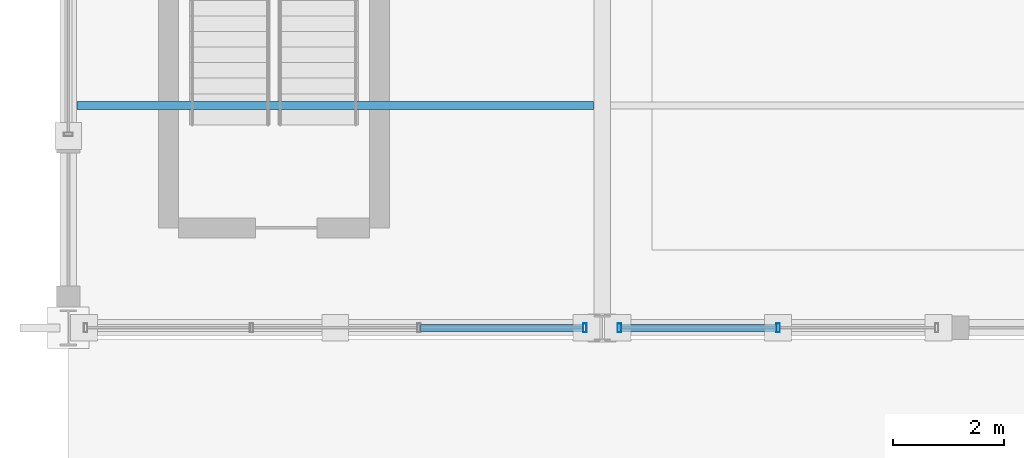
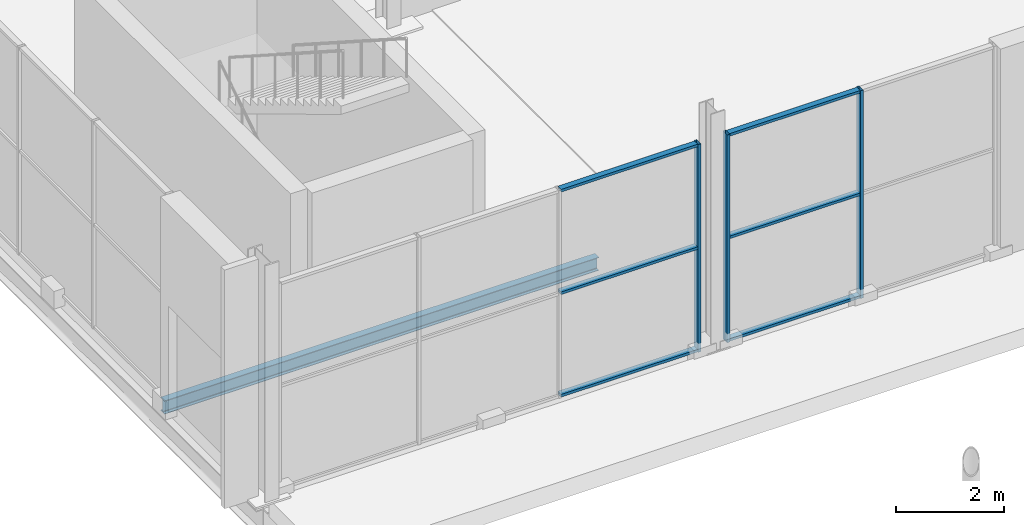
# One storey, part 28 of 196: 9 members, 1 beam, 2 elements without a shape of their own.
"""IFC4 building model written with IfcOpenShell, lengths in metres."""

from ifc_helpers import new_model, si_unit, direction, frame, origin, origin_2d, place, context, subcontext, project, spatial, hollow_rectangle, i_section, extrude, material, material_profile, profile_set, type_object, element, aggregate, save


model = new_model("IFC4")

# Units and contexts
model_context = context("Model", 3, precision=1e-05, world=origin(), true_north=direction((0.0, 1.0)))
body_context = subcontext(model_context, "Body", "Model", "MODEL_VIEW")
ifc_project = project(units=[si_unit("LENGTHUNIT", "METRE"), si_unit("AREAUNIT", "SQUARE_METRE"), si_unit("VOLUMEUNIT", "CUBIC_METRE"), si_unit("PLANEANGLEUNIT", "RADIAN"), si_unit("MASSUNIT", "GRAM", prefix="KILO")], contexts=[model_context])

# Site, building, storey
site_placement = place(None, origin())
site = spatial("IfcSite", under=ifc_project, at=site_placement, CompositionType="ELEMENT")
building_placement = place(site_placement, origin())
building = spatial("IfcBuilding", under=site, at=building_placement, Name="Merenkruunu Market Hall", CompositionType="ELEMENT")
storey_placement = place(building_placement, origin())
storey = spatial("IfcBuildingStorey", under=building, at=storey_placement, Name="L00", CompositionType="ELEMENT", Elevation=0.0)

# Curtain wall, member
ifc_material_1 = material(Name="Powder-coated aluminium", Category="aluminium")
curtain_wall_type_1 = type_object("IfcCurtainWallType", Name="Glazed Curtain Wall CW01", PredefinedType="USERDEFINED", material=ifc_material_1)
curtain_wall_1_placement = place(storey_placement, origin())
curtain_wall_1 = element("IfcCurtainWall", 1, at=curtain_wall_1_placement, inside=storey, type_object=curtain_wall_type_1, Name="CW-L00-CWM01-019", ObjectType="GLAZED_FACADE", PredefinedType="USERDEFINED")
ifc_material_profile_1 = material_profile(ifc_material_1, hollow_rectangle(XDim=0.06005859375, YDim=0.159912109375, WallThickness=0.00390625, at=origin_2d()), Name="ALU 60x160x4")
ifc_profile_set_1 = profile_set([ifc_material_profile_1], Name="Powder-coated aluminium")
member_type_1 = type_object("IfcMemberType", Name="Curtain Wall Mullion CWM01", PredefinedType="MULLION", material=ifc_profile_set_1)
member_1_placement = place(storey_placement, frame((9.2900390625, 15.60009765625, 0.0), z_axis=(0.0, 0.0, 1.0), x_axis=(-1.0, 0.0, 0.0)))
member_1 = element("IfcMember", 2, at=member_1_placement, type_object=member_type_1, Name="CW01 mullion 1", PredefinedType="MULLION", context=body_context, shape_type="SweptSolid", body=[
    extrude(hollow_rectangle(XDim=0.06005859375, YDim=0.159912109375, WallThickness=0.00390625, at=origin_2d()), origin(), (0.0, 0.0, 1.0), 4.699951171875),
])

# Curtain wall, members
curtain_wall_type_2 = type_object("IfcCurtainWallType", Name="Glazed Curtain Wall CW06", PredefinedType="USERDEFINED", material=ifc_material_1)
curtain_wall_2_placement = place(storey_placement, origin())
curtain_wall_2 = element("IfcCurtainWall", 3, at=curtain_wall_2_placement, inside=storey, type_object=curtain_wall_type_2, Name="CW-L00-CWM01-022", ObjectType="GLAZED_FACADE", PredefinedType="USERDEFINED")
member_2_placement = place(storey_placement, frame((12.764892578125, 15.60009765625, 0.0), z_axis=(0.0, 0.0, 1.0), x_axis=(-1.0, 0.0, 0.0)))
member_2 = element("IfcMember", 4, at=member_2_placement, type_object=member_type_1, Name="CW06 mullion 2", PredefinedType="MULLION", context=body_context, shape_type="SweptSolid", body=[
    extrude(hollow_rectangle(XDim=0.06005859375, YDim=0.159912109375, WallThickness=0.00390625, at=origin_2d()), origin(), (0.0, 0.0, 1.0), 4.699951171875),
])
member_3_placement = place(storey_placement, frame((9.909912109375, 15.60009765625, 0.0), z_axis=(0.0, 0.0, 1.0), x_axis=(-1.0, 0.0, 0.0)))
member_3 = element("IfcMember", 5, at=member_3_placement, type_object=member_type_1, Name="CW06 mullion 3", PredefinedType="MULLION", context=body_context, shape_type="SweptSolid", body=[
    extrude(hollow_rectangle(XDim=0.06005859375, YDim=0.159912109375, WallThickness=0.00390625, at=origin_2d()), origin(), (0.0, 0.0, 1.0), 4.699951171875),
])

# Member
ifc_material_profile_2 = material_profile(ifc_material_1, hollow_rectangle(XDim=0.06005859375, YDim=0.125, WallThickness=0.00390625, at=origin_2d()), Name="ALU 60x125x4")
ifc_profile_set_2 = profile_set([ifc_material_profile_2], Name="Powder-coated aluminium")
member_type_2 = type_object("IfcMemberType", Name="Curtain Wall Transom CWT01", PredefinedType="USERDEFINED", material=ifc_profile_set_2)
member_4_placement = place(storey_placement, frame((9.260009765625, 15.60009765625, 0.030029296875), z_axis=(-1.0, 0.0, 0.0), x_axis=(0.0, 0.0, 1.0)))
member_4 = element("IfcMember", 6, at=member_4_placement, type_object=member_type_2, Name="CW01 transom 1.1", ObjectType="TRANSOM", PredefinedType="USERDEFINED", context=body_context, shape_type="SweptSolid", body=[
    extrude(hollow_rectangle(XDim=0.06005859375, YDim=0.125, WallThickness=0.00390625, at=origin_2d()), origin(), (0.0, 0.0, 1.0), 2.92333984375),
])

member_5_placement = place(storey_placement, frame((9.260009765625, 15.60009765625, 2.35009765625), z_axis=(-1.0, 0.0, 0.0), x_axis=(0.0, 0.0, 1.0)))
member_5 = element("IfcMember", 7, at=member_5_placement, type_object=member_type_2, Name="CW01 transom 1.2", ObjectType="TRANSOM", PredefinedType="USERDEFINED", context=body_context, shape_type="SweptSolid", body=[
    extrude(hollow_rectangle(XDim=0.06005859375, YDim=0.125, WallThickness=0.00390625, at=origin_2d()), origin(), (0.0, 0.0, 1.0), 2.92333984375),
])

member_6_placement = place(storey_placement, frame((9.260009765625, 15.60009765625, 4.669921875), z_axis=(-1.0, 0.0, 0.0), x_axis=(0.0, 0.0, 1.0)))
member_6 = element("IfcMember", 8, at=member_6_placement, type_object=member_type_2, Name="CW01 transom 1.3", ObjectType="TRANSOM", PredefinedType="USERDEFINED", context=body_context, shape_type="SweptSolid", body=[
    extrude(hollow_rectangle(XDim=0.06005859375, YDim=0.125, WallThickness=0.00390625, at=origin_2d()), origin(), (0.0, 0.0, 1.0), 2.92333984375),
])

aggregate(curtain_wall_1, [member_1, member_4, member_5, member_6])

member_7_placement = place(storey_placement, frame((12.735107421875, 15.60009765625, 0.030029296875), z_axis=(-1.0, 0.0, 0.0), x_axis=(0.0, 0.0, 1.0)))
member_7 = element("IfcMember", 9, at=member_7_placement, type_object=member_type_2, Name="CW06 transom 2.1", ObjectType="TRANSOM", PredefinedType="USERDEFINED", context=body_context, shape_type="SweptSolid", body=[
    extrude(hollow_rectangle(XDim=0.06005859375, YDim=0.125, WallThickness=0.00390625, at=origin_2d()), origin(), (0.0, 0.0, 1.0), 2.795166015625),
])

member_8_placement = place(storey_placement, frame((12.735107421875, 15.60009765625, 2.35009765625), z_axis=(-1.0, 0.0, 0.0), x_axis=(0.0, 0.0, 1.0)))
member_8 = element("IfcMember", 10, at=member_8_placement, type_object=member_type_2, Name="CW06 transom 2.2", ObjectType="TRANSOM", PredefinedType="USERDEFINED", context=body_context, shape_type="SweptSolid", body=[
    extrude(hollow_rectangle(XDim=0.06005859375, YDim=0.125, WallThickness=0.00390625, at=origin_2d()), origin(), (0.0, 0.0, 1.0), 2.795166015625),
])

member_9_placement = place(storey_placement, frame((12.735107421875, 15.60009765625, 4.669921875), z_axis=(-1.0, 0.0, 0.0), x_axis=(0.0, 0.0, 1.0)))
member_9 = element("IfcMember", 11, at=member_9_placement, type_object=member_type_2, Name="CW06 transom 2.3", ObjectType="TRANSOM", PredefinedType="USERDEFINED", context=body_context, shape_type="SweptSolid", body=[
    extrude(hollow_rectangle(XDim=0.06005859375, YDim=0.125, WallThickness=0.00390625, at=origin_2d()), origin(), (0.0, 0.0, 1.0), 2.795166015625),
])

aggregate(curtain_wall_2, [member_2, member_3, member_7, member_8, member_9])

# Beam
ifc_material_2 = material(Name="Steel S355J2", Category="steel")
ifc_material_profile_3 = material_profile(ifc_material_2, i_section(OverallWidth=0.14990234375, OverallDepth=0.300048828125, WebThickness=0.007080078125, FlangeThickness=0.0107421875, FilletRadius=0.014892578125, at=origin_2d()), Name="IPE 300")
ifc_profile_set_3 = profile_set([ifc_material_profile_3], Name="Steel S355J2")
beam_type = type_object("IfcBeamType", Name="Secondary Floor Joist J04", PredefinedType="JOIST", material=ifc_profile_set_3)
beam_placement = place(storey_placement, frame((0.153076171875, 19.60009765625, -0.489990234375), z_axis=(1.0, 0.0, 0.0), x_axis=(0.0, 1.0, 0.0)))
element("IfcBeam", 12, at=beam_placement, inside=storey, type_object=beam_type, Name="BM-L00-J04-0274", PredefinedType="JOIST", context=body_context, shape_type="SweptSolid", body=[
    extrude(i_section(OverallWidth=0.14990234375, OverallDepth=0.300048828125, WebThickness=0.007080078125, FlangeThickness=0.0107421875, FilletRadius=0.014892578125, at=origin_2d()), origin(), (0.0, 0.0, 1.0), 9.2939453125),
])

save(model, "model.ifc")
